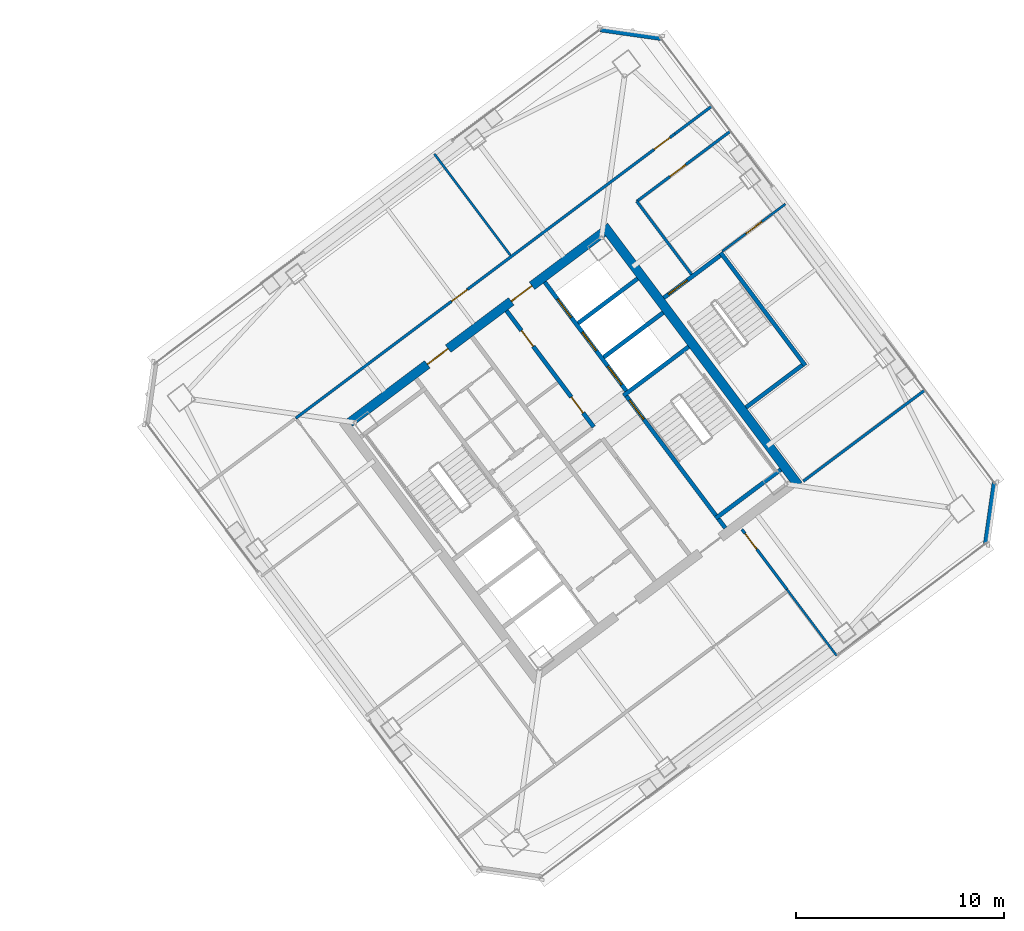
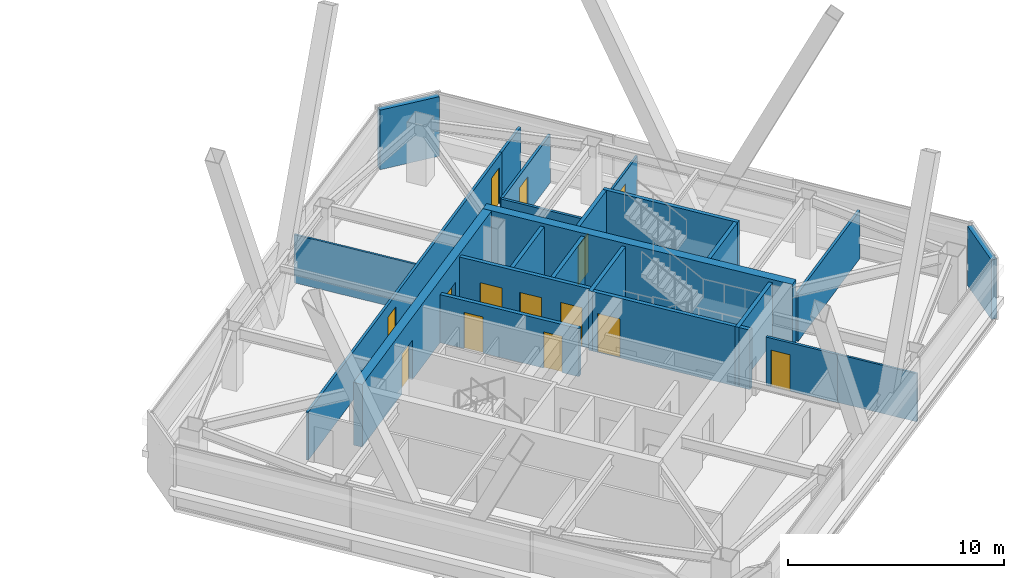
# One storey, part 40 of 47: 23 walls, 14 doors, 14 openings.
"""IFC4 building model written with IfcOpenShell, lengths in metres."""

from ifc_helpers import new_model, si_unit, direction, frame, frame_2d, origin, place, context, subcontext, project, spatial, rectangle, extrude, material, layer, layer_set, type_object, element, fill, save


model = new_model("IFC4")

# Units and contexts
model_context = context("Model", 3, precision=1e-05, world=origin(), true_north=direction((0.0, 1.0)))
body_context = subcontext(model_context, "Body", "Model", "MODEL_VIEW")
ifc_project = project(units=[si_unit("LENGTHUNIT", "METRE"), si_unit("AREAUNIT", "SQUARE_METRE"), si_unit("VOLUMEUNIT", "CUBIC_METRE"), si_unit("PLANEANGLEUNIT", "RADIAN"), si_unit("MASSUNIT", "GRAM", prefix="KILO")], contexts=[model_context])

# Site, building, storey
site_placement = place(None, origin())
site = spatial("IfcSite", under=ifc_project, at=site_placement, CompositionType="ELEMENT")
building_placement = place(site_placement, origin())
building = spatial("IfcBuilding", under=site, at=building_placement, Name="Tashvorn Skyway Center", CompositionType="ELEMENT")
storey_placement = place(building_placement, frame((0.0, 0.0, 204.199951171875)))
storey = spatial("IfcBuildingStorey", under=building, at=storey_placement, Name="L55", CompositionType="ELEMENT", Elevation=204.199951171875)

# Wall
ifc_material_1 = material(Name="Concrete C50/60", Category="concrete")
ifc_layer_1 = layer(ifc_material_1, 0.449951171875)
ifc_layer_set_1 = layer_set([ifc_layer_1], Name="Concrete C50/60")
wall_type_1 = type_object("IfcWallType", Name="WALL-CORE-450", PredefinedType="SHEAR", material=ifc_layer_set_1)
wall_1_placement = place(storey_placement, frame((115.60400390625, 42.952880859375, 0.0), z_axis=(0.0, 0.0, 1.0), x_axis=(0.600005007985, -0.799996243986, 0.0)))
element("IfcWall", 1, at=wall_1_placement, inside=storey, type_object=wall_type_1, Name="Tower 2 L55 East Core Shear Wall", PredefinedType="SHEAR", context=body_context, shape_type="SweptSolid", body=[
    extrude(rectangle(XDim=15.60009765625, YDim=0.449951171875, at=frame_2d((7.800048828125, 0.0))), origin(), (0.0, 0.0, 1.0), 3.550048828125),
])

# Wall, openings, doors
wall_2_placement = place(storey_placement, frame((103.35107421875, 33.48193359375, 0.0), z_axis=(0.0, 0.0, 1.0), x_axis=(0.8, 0.6, 0.0)))
wall_2 = element("IfcWall", 2, at=wall_2_placement, inside=storey, type_object=wall_type_1, Name="Tower 2 L55 North Core Shear Wall", PredefinedType="SHEAR", context=body_context, shape_type="SweptSolid", body=[
    extrude(rectangle(XDim=15.260009765625, YDim=0.449951171875, at=frame_2d((7.6298828125, 0.0))), origin(), (0.0, 0.0, 1.0), 3.550048828125),
])
opening_1_placement = place(wall_2_placement, frame((4.679931640625, 0.0, 0.0)))
opening_1 = element("IfcOpeningElement", 3, at=opening_1_placement, cuts=wall_2, Name="Opening D-FFL-1250", PredefinedType="OPENING", context=body_context, shape_type="SweptSolid", body=[
    extrude(rectangle(XDim=1.25, YDim=2.25, at=frame_2d((0.625, 1.125))), frame((0.0, 0.23486328125, 0.0), z_axis=(0.0, -1.0, 0.0), x_axis=(1.0, 0.0, 0.0)), (0.0, 0.0, 1.0), 0.469970703125),
])
opening_2_placement = place(wall_2_placement, frame((9.72998046875, 0.0, 0.0)))
opening_2 = element("IfcOpeningElement", 4, at=opening_2_placement, cuts=wall_2, Name="Opening D-FFL-1250", PredefinedType="OPENING", context=body_context, shape_type="SweptSolid", body=[
    extrude(rectangle(XDim=1.25, YDim=2.25, at=frame_2d((0.625, 1.125))), frame((0.0, 0.23486328125, 0.0), z_axis=(0.0, -1.0, 0.0), x_axis=(1.0, 0.0, 0.0)), (0.0, 0.0, 1.0), 0.469970703125),
])
ifc_material_2 = material(Name="Hollow galvanized steel fire door assembly", Category="steel")
door_type_1 = type_object("IfcDoorType", Name="DOOR-FFL-1250", OperationType="NOTDEFINED", PredefinedType="DOOR", material=ifc_material_2)
door_1_placement = place(opening_1_placement, origin())
door_1 = element("IfcDoor", 5, at=door_1_placement, inside=storey, type_object=door_type_1, Name="Tower 2 L55 Core North Service Lobby Door", OperationType="SINGLE_SWING_LEFT", OverallHeight=2.25, OverallWidth=1.25, PredefinedType="DOOR", context=body_context, shape_type="SweptSolid", body=[
    extrude(rectangle(XDim=1.25, YDim=2.25, at=frame_2d((0.625, 1.125))), frame((0.0, 0.02490234375, 0.0), z_axis=(0.0, -1.0, 0.0), x_axis=(1.0, 0.0, 0.0)), (0.0, 0.0, 1.0), 0.050048828125),
])
fill(opening_1, door_1)
door_2_placement = place(opening_2_placement, origin())
door_2 = element("IfcDoor", 6, at=door_2_placement, inside=storey, type_object=door_type_1, Name="Tower 2 L55 Core North Lift Lobby Door", OperationType="SINGLE_SWING_RIGHT", OverallHeight=2.25, OverallWidth=1.25, PredefinedType="DOOR", context=body_context, shape_type="SweptSolid", body=[
    extrude(rectangle(XDim=1.25, YDim=2.25, at=frame_2d((0.625, 1.125))), frame((0.0, 0.02490234375, 0.0), z_axis=(0.0, -1.0, 0.0), x_axis=(1.0, 0.0, 0.0)), (0.0, 0.0, 1.0), 0.050048828125),
])
fill(opening_2, door_2)

# Walls
ifc_material_3 = material(Name="Precast concrete C40/50", Category="concrete")
ifc_layer_2 = layer(ifc_material_3, 0.280029296875)
ifc_layer_set_2 = layer_set([ifc_layer_2], Name="Precast concrete C40/50")
wall_type_2 = type_object("IfcWallType", Name="WALL-EXT-280", PredefinedType="SOLIDWALL", material=ifc_layer_set_2)
for number, where, z_axis, x_axis, name in (
    (7, (115.419921875, 52.43994140625, 0.0), (0.0, 0.0, 1.0), (0.989954425158, -0.14138683146, 0.0), "Tower 2 L55 NE Precast Chamfer Wall"),
    (8, (134.43994140625, 30.580078125, 0.0), (0.0, 0.0, 1.0), (-0.14138683146, -0.989954425158, 0.0), "Tower 2 L55 SE Precast Chamfer Wall"),
):
    element("IfcWall", number, at=place(storey_placement, frame(where, z_axis=z_axis, x_axis=x_axis)), inside=storey, type_object=wall_type_2, Name=name, PredefinedType="SOLIDWALL", context=body_context, shape_type="SweptSolid", body=[
        extrude(rectangle(XDim=2.969970703125, YDim=0.280029296875, at=frame_2d((1.48486328125, 0.0))), origin(), (0.0, 0.0, 1.0), 3.3701171875),
    ])
ifc_material_4 = material(Name="Gypsum board on cold-formed steel stud framing", Category="steel")
ifc_layer_3 = layer(ifc_material_4, 0.110107421875)
ifc_layer_set_3 = layer_set([ifc_layer_3], Name="Gypsum board on cold-formed steel stud framing")
wall_type_3 = type_object("IfcWallType", Name="WALL-PART-110", PredefinedType="PARTITIONING", material=ifc_layer_set_3)
wall_3_placement = place(storey_placement, frame((111.092041015625, 41.5439453125, 0.0), z_axis=(0.0, 0.0, 1.0), x_axis=(-0.600006403464, 0.799995197362, 0.0)))
element("IfcWall", 9, at=wall_3_placement, inside=storey, type_object=wall_type_3, Name="Tower 2 L55 North Suite Partition 1", PredefinedType="PARTITIONING", context=body_context, shape_type="SweptSolid", body=[
    extrude(rectangle(XDim=6.10009765625, YDim=0.110107421875, at=frame_2d((3.050048828125, 0.0))), origin(), (0.0, 0.0, 1.0), 2.72314453125),
])
wall_4_placement = place(storey_placement, frame((126.80810546875, 22.256103515625, 0.0), z_axis=(0.0, 0.0, 1.0), x_axis=(-0.600019580308, 0.799985314394, 0.0)))
element("IfcWall", 10, at=wall_4_placement, inside=storey, type_object=wall_type_3, Name="Tower 2 L55 South-East Suite Wall", PredefinedType="PARTITIONING", context=body_context, shape_type="SweptSolid", body=[
    extrude(rectangle(XDim=3.989990234375, YDim=0.110107421875, at=frame_2d((1.9951171875, 0.0))), origin(), (0.0, 0.0, 1.0), 2.72314453125),
])

# Wall, opening, door
wall_5_placement = place(storey_placement, frame((124.343994140625, 44.008056640625, 0.0), z_axis=(0.0, 0.0, 1.0), x_axis=(-0.8, -0.6, 0.0)))
wall_5 = element("IfcWall", 11, at=wall_5_placement, inside=storey, type_object=wall_type_3, Name="Tower 2 L55 East Suite Partition 1", PredefinedType="PARTITIONING", context=body_context, shape_type="SweptSolid", body=[
    extrude(rectangle(XDim=3.800048828125, YDim=0.110107421875, at=frame_2d((1.89990234375, 0.0))), origin(), (0.0, 0.0, 1.0), 2.72314453125),
])
opening_3_placement = place(wall_5_placement, frame((1.425048828125, 0.0, 0.0)))
opening_3 = element("IfcOpeningElement", 12, at=opening_3_placement, cuts=wall_5, Name="Opening D-INT-950", PredefinedType="OPENING", context=body_context, shape_type="SweptSolid", body=[
    extrude(rectangle(XDim=0.949951171875, YDim=2.050048828125, at=frame_2d((0.47509765625, 1.02490234375))), frame((0.0, 0.06494140625, 0.0), z_axis=(0.0, -1.0, 0.0), x_axis=(1.0, 0.0, 0.0)), (0.0, 0.0, 1.0), 0.130126953125),
])
ifc_material_5 = material(Name="Solid-core architectural oak veneer door")
door_type_2 = type_object("IfcDoorType", Name="DOOR-INT-950", OperationType="NOTDEFINED", PredefinedType="DOOR", material=ifc_material_5)
door_3_placement = place(opening_3_placement, origin())
door_3 = element("IfcDoor", 13, at=door_3_placement, inside=storey, type_object=door_type_2, Name="Tower 2 L55 Corporate Office Door", OperationType="SINGLE_SWING_RIGHT", OverallHeight=2.050048828125, OverallWidth=0.949951171875, PredefinedType="DOOR", context=body_context, shape_type="SweptSolid", body=[
    extrude(rectangle(XDim=0.949951171875, YDim=2.050048828125, at=frame_2d((0.47509765625, 1.02490234375))), frame((0.0, 0.02490234375, 0.0), z_axis=(0.0, -1.0, 0.0), x_axis=(1.0, 0.0, 0.0)), (0.0, 0.0, 1.0), 0.050048828125),
])
fill(opening_3, door_3)

# Wall
ifc_layer_4 = layer(ifc_material_4, 0.135009765625)
ifc_layer_set_4 = layer_set([ifc_layer_4], Name="Gypsum board on cold-formed steel stud framing")
wall_type_4 = type_object("IfcWallType", Name="WALL-PART-135", PredefinedType="PARTITIONING", material=ifc_layer_set_4)
wall_6_placement = place(storey_placement, frame((119.823974609375, 40.617919921875, 0.0), z_axis=(0.0, 0.0, 1.0), x_axis=(-0.599982243973, 0.800013316712, 0.0)))
element("IfcWall", 14, at=wall_6_placement, inside=storey, type_object=wall_type_4, Name="Tower 2 L55 Stair 3 Access Corridor Wall", PredefinedType="PARTITIONING", context=body_context, shape_type="SweptSolid", body=[
    extrude(rectangle(XDim=4.39990234375, YDim=0.135009765625, at=frame_2d((2.199951171875, 0.0))), origin(), (0.0, 0.0, 1.0), 2.72314453125),
])

# Wall, openings, doors
wall_7_placement = place(storey_placement, frame((100.756103515625, 33.69189453125, 0.0), z_axis=(0.0, 0.0, 1.0), x_axis=(0.799998716732, 0.60000171102, 0.0)))
wall_7 = element("IfcWall", 15, at=wall_7_placement, inside=storey, type_object=wall_type_4, Name="Tower 2 L55 North Suite Wall", PredefinedType="PARTITIONING", context=body_context, shape_type="SweptSolid", body=[
    extrude(rectangle(XDim=22.829833984375, YDim=0.135009765625, at=frame_2d((11.4150390625, 0.0))), origin(), (0.0, 0.0, 1.0), 2.72314453125),
])
opening_4_placement = place(wall_7_placement, frame((9.3798828125, 0.0, 0.0)))
opening_4 = element("IfcOpeningElement", 16, at=opening_4_placement, cuts=wall_7, Name="Opening D-INT-950", PredefinedType="OPENING", context=body_context, shape_type="SweptSolid", body=[
    extrude(rectangle(XDim=0.949951171875, YDim=2.050048828125, at=frame_2d((0.47509765625, 1.02490234375))), frame((0.0, 0.077392578125, 0.0), z_axis=(0.0, -1.0, 0.0), x_axis=(1.0, 0.0, 0.0)), (0.0, 0.0, 1.0), 0.155029296875),
])
opening_5_placement = place(wall_7_placement, frame((21.580078125, 0.0, 0.0)))
opening_5 = element("IfcOpeningElement", 17, at=opening_5_placement, cuts=wall_7, Name="Opening D-INT-950", PredefinedType="OPENING", context=body_context, shape_type="SweptSolid", body=[
    extrude(rectangle(XDim=0.949951171875, YDim=2.050048828125, at=frame_2d((0.47509765625, 1.02490234375))), frame((0.0, 0.077392578125, 0.0), z_axis=(0.0, -1.0, 0.0), x_axis=(1.0, 0.0, 0.0)), (0.0, 0.0, 1.0), 0.155029296875),
])
door_4_placement = place(opening_4_placement, origin())
door_4 = element("IfcDoor", 18, at=door_4_placement, inside=storey, type_object=door_type_2, Name="Tower 2 L55 Wellness Clinic Door", OperationType="SINGLE_SWING_LEFT", OverallHeight=2.050048828125, OverallWidth=0.949951171875, PredefinedType="DOOR", context=body_context, shape_type="SweptSolid", body=[
    extrude(rectangle(XDim=0.949951171875, YDim=2.050048828125, at=frame_2d((0.47509765625, 1.02490234375))), frame((0.0, 0.02490234375, 0.0), z_axis=(0.0, -1.0, 0.0), x_axis=(1.0, 0.0, 0.0)), (0.0, 0.0, 1.0), 0.050048828125),
])
fill(opening_4, door_4)
door_5_placement = place(opening_5_placement, origin())
door_5 = element("IfcDoor", 19, at=door_5_placement, inside=storey, type_object=door_type_2, Name="Tower 2 L55 Wellness Clinic Door", OperationType="SINGLE_SWING_RIGHT", OverallHeight=2.050048828125, OverallWidth=0.949951171875, PredefinedType="DOOR", context=body_context, shape_type="SweptSolid", body=[
    extrude(rectangle(XDim=0.949951171875, YDim=2.050048828125, at=frame_2d((0.47509765625, 1.02490234375))), frame((0.0, 0.02490234375, 0.0), z_axis=(0.0, -1.0, 0.0), x_axis=(1.0, 0.0, 0.0)), (0.0, 0.0, 1.0), 0.050048828125),
])
fill(opening_5, door_5)

# Wall
wall_8_placement = place(storey_placement, frame((119.02001953125, 47.389892578125, 0.0), z_axis=(0.0, 0.0, 1.0), x_axis=(0.799960585956, 0.600052548463, 0.0)))
element("IfcWall", 20, at=wall_8_placement, inside=storey, type_object=wall_type_4, Name="Tower 2 L55 North-East Suite South Wall", PredefinedType="PARTITIONING", context=body_context, shape_type="SweptSolid", body=[
    extrude(rectangle(XDim=2.22998046875, YDim=0.135009765625, at=frame_2d((1.114990234375, 0.0))), origin(), (0.0, 0.0, 1.0), 2.72314453125),
])

# Wall, opening, door
wall_9_placement = place(storey_placement, frame((122.248046875, 28.3359375, 0.0), z_axis=(0.0, 0.0, 1.0), x_axis=(0.600010820699, -0.799991884361, 0.0)))
wall_9 = element("IfcWall", 21, at=wall_9_placement, inside=storey, type_object=wall_type_4, Name="Tower 2 L55 South Gallery End Wall", PredefinedType="PARTITIONING", context=body_context, shape_type="SweptSolid", body=[
    extrude(rectangle(XDim=3.60986328125, YDim=0.135009765625, at=frame_2d((1.804931640625, 0.0))), origin(), (0.0, 0.0, 1.0), 2.72314453125),
])
opening_6_placement = place(wall_9_placement, frame((0.25, 0.0, 0.0)))
opening_6 = element("IfcOpeningElement", 22, at=opening_6_placement, cuts=wall_9, Name="Opening D-INT-950", PredefinedType="OPENING", context=body_context, shape_type="SweptSolid", body=[
    extrude(rectangle(XDim=0.949951171875, YDim=2.050048828125, at=frame_2d((0.47509765625, 1.02490234375))), frame((0.0, 0.077392578125, 0.0), z_axis=(0.0, -1.0, 0.0), x_axis=(1.0, 0.0, 0.0)), (0.0, 0.0, 1.0), 0.155029296875),
])
door_6_placement = place(opening_6_placement, origin())
door_6 = element("IfcDoor", 23, at=door_6_placement, inside=storey, type_object=door_type_2, Name="Tower 2 L55 Operations Control Room Door", OperationType="SINGLE_SWING_RIGHT", OverallHeight=2.050048828125, OverallWidth=0.949951171875, PredefinedType="DOOR", context=body_context, shape_type="SweptSolid", body=[
    extrude(rectangle(XDim=0.949951171875, YDim=2.050048828125, at=frame_2d((0.47509765625, 1.02490234375))), frame((0.0, 0.02490234375, 0.0), z_axis=(0.0, -1.0, 0.0), x_axis=(1.0, 0.0, 0.0)), (0.0, 0.0, 1.0), 0.050048828125),
])
fill(opening_6, door_6)

wall_10_placement = place(storey_placement, frame((121.7041015625, 47.528076171875, 0.0), z_axis=(0.0, 0.0, 1.0), x_axis=(-0.799989629485, -0.600013827105, 0.0)))
wall_10 = element("IfcWall", 24, at=wall_10_placement, inside=storey, type_object=wall_type_4, Name="Tower 2 L55 East Suite North Wall", PredefinedType="PARTITIONING", context=body_context, shape_type="SweptSolid", body=[
    extrude(rectangle(XDim=5.650146484375, YDim=0.135009765625, at=frame_2d((2.8251953125, 0.0))), origin(), (0.0, 0.0, 1.0), 2.72314453125),
])
opening_7_placement = place(wall_10_placement, frame((2.699951171875, 0.0, 0.0)))
opening_7 = element("IfcOpeningElement", 25, at=opening_7_placement, cuts=wall_10, Name="Opening D-INT-950", PredefinedType="OPENING", context=body_context, shape_type="SweptSolid", body=[
    extrude(rectangle(XDim=0.949951171875, YDim=2.050048828125, at=frame_2d((0.47509765625, 1.02490234375))), frame((0.0, 0.077392578125, 0.0), z_axis=(0.0, -1.0, 0.0), x_axis=(1.0, 0.0, 0.0)), (0.0, 0.0, 1.0), 0.155029296875),
])
door_7_placement = place(opening_7_placement, origin())
door_7 = element("IfcDoor", 26, at=door_7_placement, inside=storey, type_object=door_type_2, Name="Tower 2 L55 Operations Control Room Door", OperationType="SINGLE_SWING_LEFT", OverallHeight=2.050048828125, OverallWidth=0.949951171875, PredefinedType="DOOR", context=body_context, shape_type="SweptSolid", body=[
    extrude(rectangle(XDim=0.949951171875, YDim=2.050048828125, at=frame_2d((0.47509765625, 1.02490234375))), frame((0.0, 0.02490234375, 0.0), z_axis=(0.0, -1.0, 0.0), x_axis=(1.0, 0.0, 0.0)), (0.0, 0.0, 1.0), 0.050048828125),
])
fill(opening_7, door_7)

# Walls
wall_11_placement = place(storey_placement, frame((125.2080078125, 30.656005859375, 0.0), z_axis=(0.0, 0.0, 1.0), x_axis=(0.79999199534, 0.600010672732, 0.0)))
element("IfcWall", 27, at=wall_11_placement, inside=storey, type_object=wall_type_4, Name="Tower 2 L55 East Suite South Wall", PredefinedType="PARTITIONING", context=body_context, shape_type="SweptSolid", body=[
    extrude(rectangle(XDim=7.320068359375, YDim=0.135009765625, at=frame_2d((3.66015625, 0.0))), origin(), (0.0, 0.0, 1.0), 2.72314453125),
])
ifc_material_6 = material(Name="Concrete C40/50", Category="concrete")
ifc_layer_5 = layer(ifc_material_6, 0.199951171875)
ifc_layer_set_5 = layer_set([ifc_layer_5], Name="Concrete C40/50")
wall_type_5 = type_object("IfcWallType", Name="WALL-SHAFT-200", PredefinedType="SOLIDWALL", material=ifc_layer_set_5)
for number, where, z_axis, x_axis, name in (
    (28, (115.590087890625, 36.6298828125, 0.0), (0.0, 0.0, 1.0), (0.799975449747, 0.600032732276, 0.0), "Tower 2 L55 High-Rise Shaft Divider"),
    (29, (114.360107421875, 38.27001953125, 0.0), (0.0, 0.0, 1.0), (0.800008183455, 0.599989088572, 0.0), "Tower 2 L55 High-Rise Shaft Divider"),
):
    element("IfcWall", number, at=place(storey_placement, frame(where, z_axis=z_axis, x_axis=x_axis)), inside=storey, type_object=wall_type_5, Name=name, PredefinedType="SOLIDWALL", context=body_context, shape_type="SweptSolid", body=[
        extrude(rectangle(XDim=3.580078125, YDim=0.199951171875, at=frame_2d((1.7900390625, 0.0))), origin(), (0.0, 0.0, 1.0), 3.3701171875),
    ])

# Wall, openings, doors
wall_12_placement = place(storey_placement, frame((115.110107421875, 33.27001953125, 0.0), z_axis=(0.0, 0.0, 1.0), x_axis=(-0.600011160345, 0.79999162962, 0.0)))
wall_12 = element("IfcWall", 30, at=wall_12_placement, inside=storey, type_object=wall_type_5, Name="Tower 2 L55 Mid-Rise Core Wall", PredefinedType="SOLIDWALL", context=body_context, shape_type="SweptSolid", body=[
    extrude(rectangle(XDim=7.000244140625, YDim=0.199951171875, at=frame_2d((3.5, 0.0))), origin(), (0.0, 0.0, 1.0), 2.72314453125),
])
opening_8_placement = place(wall_12_placement, frame((0.85009765625, 0.0, 0.0)))
opening_8 = element("IfcOpeningElement", 31, at=opening_8_placement, cuts=wall_12, Name="Opening D-RT-950", PredefinedType="OPENING", context=body_context, shape_type="SweptSolid", body=[
    extrude(rectangle(XDim=0.949951171875, YDim=2.050048828125, at=frame_2d((0.47509765625, 1.02490234375))), frame((0.0, 0.10986328125, 0.0), z_axis=(0.0, -1.0, 0.0), x_axis=(1.0, 0.0, 0.0)), (0.0, 0.0, 1.0), 0.219970703125),
])
opening_9_placement = place(wall_12_placement, frame((4.85009765625, 0.0, 0.0)))
opening_9 = element("IfcOpeningElement", 32, at=opening_9_placement, cuts=wall_12, Name="Opening D-RT-950", PredefinedType="OPENING", context=body_context, shape_type="SweptSolid", body=[
    extrude(rectangle(XDim=0.949951171875, YDim=2.050048828125, at=frame_2d((0.47509765625, 1.02490234375))), frame((0.0, 0.10986328125, 0.0), z_axis=(0.0, -1.0, 0.0), x_axis=(1.0, 0.0, 0.0)), (0.0, 0.0, 1.0), 0.219970703125),
])
door_type_3 = type_object("IfcDoorType", Name="DOOR-RATED-950", OperationType="NOTDEFINED", PredefinedType="DOOR", material=ifc_material_2)
door_8_placement = place(opening_8_placement, origin())
door_8 = element("IfcDoor", 33, at=door_8_placement, inside=storey, type_object=door_type_3, Name="Tower 2 L55 Core IT Room Door", OperationType="SINGLE_SWING_RIGHT", OverallHeight=2.050048828125, OverallWidth=0.949951171875, PredefinedType="DOOR", context=body_context, shape_type="SweptSolid", body=[
    extrude(rectangle(XDim=0.949951171875, YDim=2.050048828125, at=frame_2d((0.47509765625, 1.02490234375))), frame((0.0, 0.02490234375, 0.0), z_axis=(0.0, -1.0, 0.0), x_axis=(1.0, 0.0, 0.0)), (0.0, 0.0, 1.0), 0.050048828125),
])
fill(opening_8, door_8)
door_9_placement = place(opening_9_placement, origin())
door_9 = element("IfcDoor", 34, at=door_9_placement, inside=storey, type_object=door_type_3, Name="Tower 2 L55 Core Catering Pantry Door", OperationType="SINGLE_SWING_LEFT", OverallHeight=2.050048828125, OverallWidth=0.949951171875, PredefinedType="DOOR", context=body_context, shape_type="SweptSolid", body=[
    extrude(rectangle(XDim=0.949951171875, YDim=2.050048828125, at=frame_2d((0.47509765625, 1.02490234375))), frame((0.0, 0.02490234375, 0.0), z_axis=(0.0, -1.0, 0.0), x_axis=(1.0, 0.0, 0.0)), (0.0, 0.0, 1.0), 0.050048828125),
])
fill(opening_9, door_9)

# Wall, opening, door
ifc_layer_6 = layer(ifc_material_6, 0.199951171875)
ifc_layer_set_6 = layer_set([ifc_layer_6], Name="Concrete C40/50")
wall_type_6 = type_object("IfcWallType", Name="WALL-STSHF-200", PredefinedType="SHEAR", material=ifc_layer_set_6)
wall_13_placement = place(storey_placement, frame((116.56005859375, 34.919921875, 0.0), z_axis=(0.0, 0.0, 1.0), x_axis=(0.59999041401, -0.800007189403, 0.0)))
wall_13 = element("IfcWall", 35, at=wall_13_placement, inside=storey, type_object=wall_type_6, Name="Tower 2 L55 Stair 2 Enclosure Wall", PredefinedType="SHEAR", context=body_context, shape_type="SweptSolid", body=[
    extrude(rectangle(XDim=8.14990234375, YDim=0.199951171875, at=frame_2d((4.074951171875, 0.0))), origin(), (0.0, 0.0, 1.0), 3.3701171875),
])
opening_10_placement = place(wall_13_placement, frame((0.449951171875, 0.0, 0.0)))
opening_10 = element("IfcOpeningElement", 36, at=opening_10_placement, cuts=wall_13, Name="Opening D-ST-1150", PredefinedType="OPENING", context=body_context, shape_type="SweptSolid", body=[
    extrude(rectangle(XDim=1.14990234375, YDim=2.199951171875, at=frame_2d((0.574951171875, 1.10009765625))), frame((0.0, 0.10986328125, 0.0), z_axis=(0.0, -1.0, 0.0), x_axis=(1.0, 0.0, 0.0)), (0.0, 0.0, 1.0), 0.219970703125),
])
door_type_4 = type_object("IfcDoorType", Name="DOOR-STAIR-1150", OperationType="NOTDEFINED", PredefinedType="DOOR", material=ifc_material_2)
door_10_placement = place(opening_10_placement, origin())
door_10 = element("IfcDoor", 37, at=door_10_placement, inside=storey, type_object=door_type_4, Name="Tower 2 L55 Exit Stair 2 Door", OperationType="SINGLE_SWING_RIGHT", OverallHeight=2.199951171875, OverallWidth=1.14990234375, PredefinedType="DOOR", context=body_context, shape_type="SweptSolid", body=[
    extrude(rectangle(XDim=1.14990234375, YDim=2.199951171875, at=frame_2d((0.574951171875, 1.10009765625))), frame((0.0, 0.02490234375, 0.0), z_axis=(0.0, -1.0, 0.0), x_axis=(1.0, 0.0, 0.0)), (0.0, 0.0, 1.0), 0.050048828125),
])
fill(opening_10, door_10)

# Walls
for number, where, z_axis, x_axis, name in (
    (38, (116.5400390625, 34.780029296875, 0.0), (0.0, 0.0, 1.0), (0.800014909178, 0.599980120581, 0.0), "Tower 2 L55 Stair 2 North Wall"),
    (39, (120.97998046875, 28.860107421875, 0.0), (0.0, 0.0, 1.0), (0.800014909178, 0.599980120581, 0.0), "Tower 2 L55 Stair 2 South Wall"),
):
    element("IfcWall", number, at=place(storey_placement, frame(where, z_axis=z_axis, x_axis=x_axis)), inside=storey, type_object=wall_type_6, Name=name, PredefinedType="SHEAR", context=body_context, shape_type="SweptSolid", body=[
        extrude(rectangle(XDim=3.929931640625, YDim=0.199951171875, at=frame_2d((1.96484375, 0.0))), origin(), (0.0, 0.0, 1.0), 3.3701171875),
    ])

# Wall, openings, doors
wall_14_placement = place(storey_placement, frame((112.75, 40.25, 0.0), z_axis=(0.0, 0.0, 1.0), x_axis=(0.599994036198, -0.800004472816, 0.0)))
wall_14 = element("IfcWall", 40, at=wall_14_placement, inside=storey, type_object=wall_type_6, Name="Tower 2 L55 High-Rise Lift Shaft Front Wall", PredefinedType="SHEAR", context=body_context, shape_type="SweptSolid", body=[
    extrude(rectangle(XDim=6.550048828125, YDim=0.199951171875, at=frame_2d((3.27490234375, 0.0))), origin(), (0.0, 0.0, 1.0), 3.3701171875),
])
opening_11_placement = place(wall_14_placement, frame((5.074951171875, 0.0, 0.0)))
opening_11 = element("IfcOpeningElement", 41, at=opening_11_placement, cuts=wall_14, Name="Opening LD-HR-T2-1-L55", PredefinedType="OPENING", context=body_context, shape_type="SweptSolid", body=[
    extrude(rectangle(XDim=1.10009765625, YDim=2.199951171875, at=frame_2d((0.550048828125, 1.10009765625))), frame((0.0, 0.10986328125, 0.0), z_axis=(0.0, -1.0, 0.0), x_axis=(1.0, 0.0, 0.0)), (0.0, 0.0, 1.0), 0.219970703125),
])
opening_12_placement = place(wall_14_placement, frame((3.02490234375, 0.0, 0.0)))
opening_12 = element("IfcOpeningElement", 42, at=opening_12_placement, cuts=wall_14, Name="Opening LD-HR-T2-2-L55", PredefinedType="OPENING", context=body_context, shape_type="SweptSolid", body=[
    extrude(rectangle(XDim=1.10009765625, YDim=2.199951171875, at=frame_2d((0.550048828125, 1.10009765625))), frame((0.0, 0.10986328125, 0.0), z_axis=(0.0, -1.0, 0.0), x_axis=(1.0, 0.0, 0.0)), (0.0, 0.0, 1.0), 0.219970703125),
])
opening_13_placement = place(wall_14_placement, frame((1.02490234375, 0.0, 0.0)))
opening_13 = element("IfcOpeningElement", 43, at=opening_13_placement, cuts=wall_14, Name="Opening LD-HR-T2-3-L55", PredefinedType="OPENING", context=body_context, shape_type="SweptSolid", body=[
    extrude(rectangle(XDim=1.10009765625, YDim=2.199951171875, at=frame_2d((0.550048828125, 1.10009765625))), frame((0.0, 0.10986328125, 0.0), z_axis=(0.0, -1.0, 0.0), x_axis=(1.0, 0.0, 0.0)), (0.0, 0.0, 1.0), 0.219970703125),
])
ifc_material_7 = material(Name="Stainless steel landing door", Category="steel")
door_type_5 = type_object("IfcDoorType", Name="DOOR-LIFT-1100", OperationType="SLIDING_TO_LEFT", PredefinedType="DOOR", material=ifc_material_7)
door_11_placement = place(opening_11_placement, origin())
door_11 = element("IfcDoor", 44, at=door_11_placement, inside=storey, type_object=door_type_5, Name="Lift HR-T2-1 L55 Landing Door", OperationType="SLIDING_TO_LEFT", OverallHeight=2.199951171875, OverallWidth=1.10009765625, PredefinedType="DOOR", context=body_context, shape_type="SweptSolid", body=[
    extrude(rectangle(XDim=1.10009765625, YDim=2.199951171875, at=frame_2d((0.550048828125, 1.10009765625))), frame((0.0, 0.02490234375, 0.0), z_axis=(0.0, -1.0, 0.0), x_axis=(1.0, 0.0, 0.0)), (0.0, 0.0, 1.0), 0.050048828125),
])
fill(opening_11, door_11)
door_12_placement = place(opening_12_placement, origin())
door_12 = element("IfcDoor", 45, at=door_12_placement, inside=storey, type_object=door_type_5, Name="Lift HR-T2-2 L55 Landing Door", OperationType="SLIDING_TO_LEFT", OverallHeight=2.199951171875, OverallWidth=1.10009765625, PredefinedType="DOOR", context=body_context, shape_type="SweptSolid", body=[
    extrude(rectangle(XDim=1.10009765625, YDim=2.199951171875, at=frame_2d((0.550048828125, 1.10009765625))), frame((0.0, 0.02490234375, 0.0), z_axis=(0.0, -1.0, 0.0), x_axis=(1.0, 0.0, 0.0)), (0.0, 0.0, 1.0), 0.050048828125),
])
fill(opening_12, door_12)
door_13_placement = place(opening_13_placement, origin())
door_13 = element("IfcDoor", 46, at=door_13_placement, inside=storey, type_object=door_type_5, Name="Lift HR-T2-3 L55 Landing Door", OperationType="SLIDING_TO_LEFT", OverallHeight=2.199951171875, OverallWidth=1.10009765625, PredefinedType="DOOR", context=body_context, shape_type="SweptSolid", body=[
    extrude(rectangle(XDim=1.10009765625, YDim=2.199951171875, at=frame_2d((0.550048828125, 1.10009765625))), frame((0.0, 0.02490234375, 0.0), z_axis=(0.0, -1.0, 0.0), x_axis=(1.0, 0.0, 0.0)), (0.0, 0.0, 1.0), 0.050048828125),
])
fill(opening_13, door_13)

# Wall
wall_15_placement = place(storey_placement, frame((125.303955078125, 36.22802734375, 0.0), z_axis=(0.0, 0.0, 1.0), x_axis=(-0.59998851072, 0.800008616831, 0.0)))
element("IfcWall", 47, at=wall_15_placement, inside=storey, type_object=wall_type_6, Name="Tower 2 L55 Stair 3 Outer Wall", PredefinedType="SHEAR", context=body_context, shape_type="SweptSolid", body=[
    extrude(rectangle(XDim=6.7998046875, YDim=0.199951171875, at=frame_2d((3.39990234375, 0.0))), origin(), (0.0, 0.0, 1.0), 3.3701171875),
])

# Wall, opening, door
wall_16_placement = place(storey_placement, frame((121.2041015625, 41.528076171875, 0.0), z_axis=(0.0, 0.0, 1.0), x_axis=(-0.800017232136, -0.599977023131, 0.0)))
wall_16 = element("IfcWall", 48, at=wall_16_placement, inside=storey, type_object=wall_type_6, Name="Tower 2 L55 Stair 3 Enclosure Wall", PredefinedType="SHEAR", context=body_context, shape_type="SweptSolid", body=[
    extrude(rectangle(XDim=3.400146484375, YDim=0.199951171875, at=frame_2d((1.7001953125, 0.0))), origin(), (0.0, 0.0, 1.0), 3.3701171875),
])
opening_14_placement = place(wall_16_placement, frame((1.97509765625, 0.0, 0.0)))
opening_14 = element("IfcOpeningElement", 49, at=opening_14_placement, cuts=wall_16, Name="Opening D-ST-1150", PredefinedType="OPENING", context=body_context, shape_type="SweptSolid", body=[
    extrude(rectangle(XDim=1.14990234375, YDim=2.199951171875, at=frame_2d((0.574951171875, 1.10009765625))), frame((0.0, 0.10986328125, 0.0), z_axis=(0.0, -1.0, 0.0), x_axis=(1.0, 0.0, 0.0)), (0.0, 0.0, 1.0), 0.219970703125),
])
door_14_placement = place(opening_14_placement, origin())
door_14 = element("IfcDoor", 50, at=door_14_placement, inside=storey, type_object=door_type_4, Name="Tower 2 L55 Exit Stair 3 Door", OperationType="SINGLE_SWING_RIGHT", OverallHeight=2.199951171875, OverallWidth=1.14990234375, PredefinedType="DOOR", context=body_context, shape_type="SweptSolid", body=[
    extrude(rectangle(XDim=1.14990234375, YDim=2.199951171875, at=frame_2d((0.574951171875, 1.10009765625))), frame((0.0, 0.02490234375, 0.0), z_axis=(0.0, -1.0, 0.0), x_axis=(1.0, 0.0, 0.0)), (0.0, 0.0, 1.0), 0.050048828125),
])
fill(opening_14, door_14)

# Wall
wall_17_placement = place(storey_placement, frame((122.444091796875, 34.2080078125, 0.0), z_axis=(0.0, 0.0, 1.0), x_axis=(0.79999138319, 0.600011488909, 0.0)))
element("IfcWall", 51, at=wall_17_placement, inside=storey, type_object=wall_type_6, Name="Tower 2 L55 Stair 3 South Wall", PredefinedType="SHEAR", context=body_context, shape_type="SweptSolid", body=[
    extrude(rectangle(XDim=3.39990234375, YDim=0.199951171875, at=frame_2d((1.699951171875, 0.0))), origin(), (0.0, 0.0, 1.0), 3.3701171875),
])

save(model, "model.ifc")
